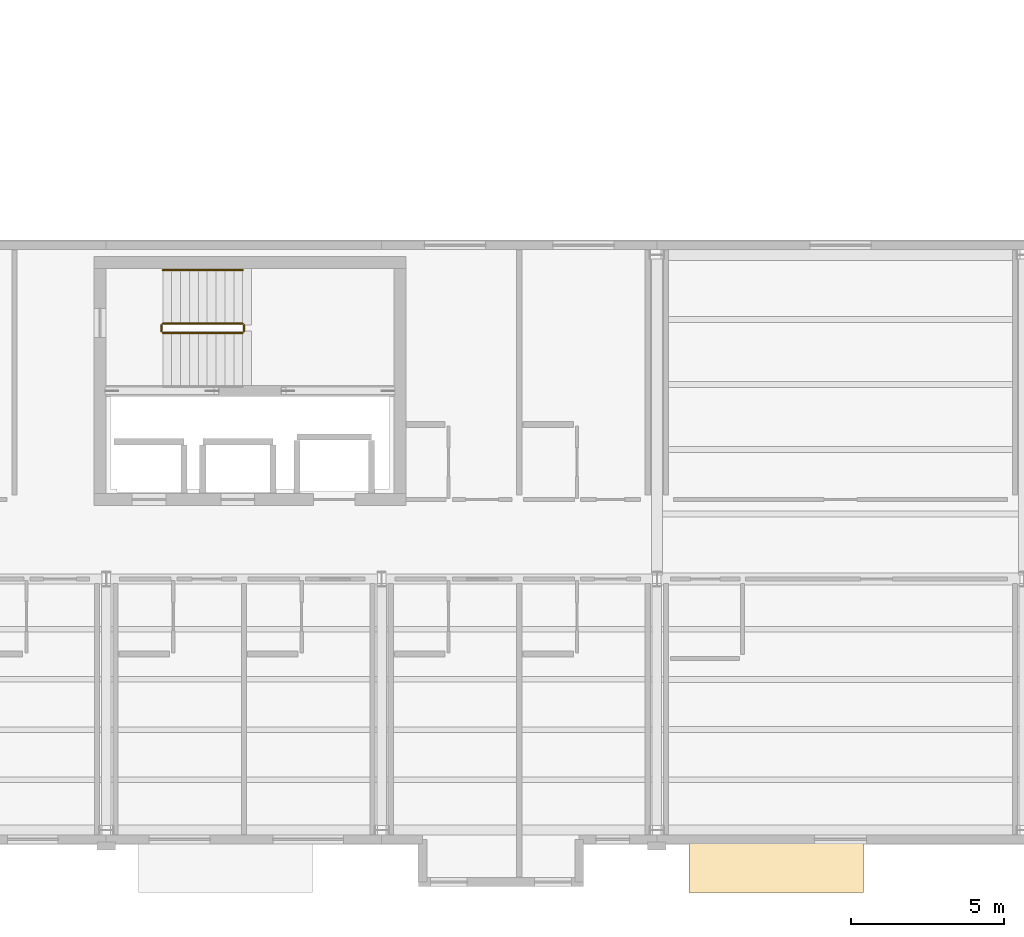
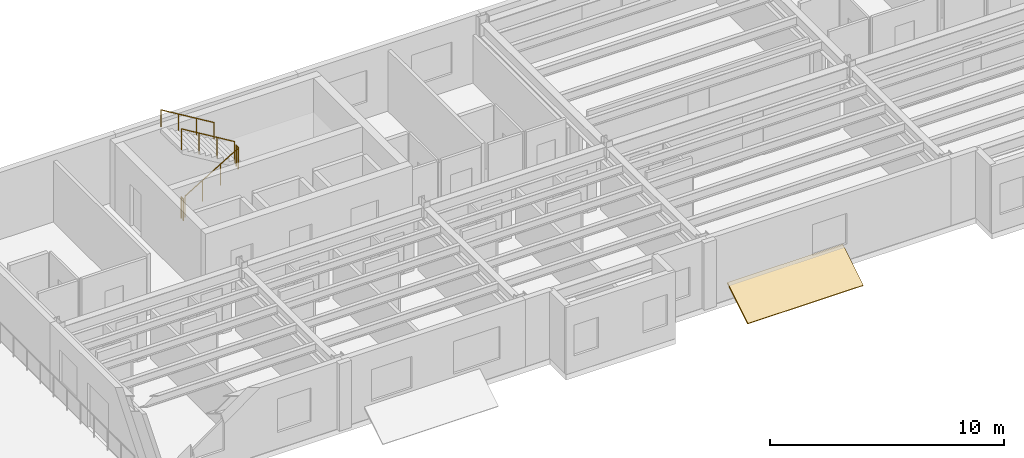
# One storey, part 15 of 17: 5 railings, 1 covering.
"""IFC4 building model written with IfcOpenShell, lengths in metres."""

from ifc_helpers import new_model, si_unit, direction, frame, origin, origin_2d, place, context, subcontext, project, spatial, polyline, circle, outline, extrude, material, layer, layer_set, type_object, element, save


model = new_model("IFC4")

# Units and contexts
model_context = context("Model", 3, precision=1e-05, world=origin(), true_north=direction((0.0, 1.0)))
body_context = subcontext(model_context, "Body", "Model", "MODEL_VIEW")
ifc_project = project(units=[si_unit("LENGTHUNIT", "METRE"), si_unit("AREAUNIT", "SQUARE_METRE"), si_unit("VOLUMEUNIT", "CUBIC_METRE"), si_unit("PLANEANGLEUNIT", "RADIAN"), si_unit("MASSUNIT", "GRAM", prefix="KILO")], contexts=[model_context])

# Site, building, storey
site_placement = place(None, origin())
site = spatial("IfcSite", under=ifc_project, at=site_placement, CompositionType="ELEMENT")
building_placement = place(site_placement, origin())
building = spatial("IfcBuilding", under=site, at=building_placement, Name="Sollismere Congress Hotel", CompositionType="ELEMENT")
storey_placement = place(building_placement, frame((0.0, 0.0, 41.10009765625)))
storey = spatial("IfcBuildingStorey", under=building, at=storey_placement, Name="L10", CompositionType="ELEMENT", Elevation=41.10009765625)

# Covering
ifc_material_1 = material(Name="Standing-Seam Titanium-Zinc Roof Assembly")
ifc_layer = layer(ifc_material_1, 0.054931640625, Name="Standing-Seam Titanium-Zinc Roof Assembly")
ifc_layer_set = layer_set([ifc_layer], Name="Standing-Seam Titanium-Zinc Roof Assembly")
covering_type = type_object("IfcCoveringType", Name="CV-RFZNC", PredefinedType="ROOFING", material=ifc_layer_set)
covering_placement = place(storey_placement, frame((113.050048828125, -2.008056640625, -0.36328125), z_axis=(0.0, -0.525209771298, 0.850972794003), x_axis=(1.0, 0.0, 0.0)))
element("IfcCovering", 1, at=covering_placement, inside=storey, type_object=covering_type, Name="Cikma bay sacak hood SL-CKH-29", PredefinedType="ROOFING", context=body_context, shape_type="SweptSolid", body=[
    extrude(outline(polyline([(0.0, 0.0), (5.699951171875, 0.0), (5.699951171875, 2.056396484375), (0.0, 2.056396484375), (0.0, 0.0)])), origin(), (0.0, 0.0, 1.0), 0.080078125),
])

# Railings
ifc_material_2 = material(Name="Steel ASTM A500 Grade C", Category="steel")
railing_type_1 = type_object("IfcRailingType", Name="RL-GRD112", PredefinedType="GUARDRAIL", material=ifc_material_2)
railing_1_placement = place(storey_placement, frame((95.85009765625, 16.25, 0.1748046875)))
element("IfcRailing", 2, at=railing_1_placement, inside=storey, type_object=railing_type_1, Name="RLG-RG-ST-02-L10-1", PredefinedType="GUARDRAIL", context=body_context, shape_type="SweptSolid", body=[
    extrude(circle(Radius=0.02392578125, at=origin_2d()), frame((0.0, 0.0, 1.09619140625), z_axis=(0.856147343639, 0.0, 0.516731773728), x_axis=(0.0, 1.0, 0.0)), (0.0, 0.0, 1.0), 3.04833984375),
    extrude(circle(Radius=0.02099609375, at=origin_2d()), origin(), (0.0, 0.0, 1.0), 1.072021484375),
    extrude(circle(Radius=0.02099609375, at=origin_2d()), frame((0.869873046875, 0.0, 0.525146484375)), (0.0, 0.0, 1.0), 1.072021484375),
    extrude(circle(Radius=0.02099609375, at=origin_2d()), frame((1.739990234375, 0.0, 1.050048828125)), (0.0, 0.0, 1.0), 1.072021484375),
    extrude(circle(Radius=0.02099609375, at=origin_2d()), frame((2.60986328125, 0.0, 1.5751953125)), (0.0, 0.0, 1.0), 1.072021484375),
])
railing_2_placement = place(storey_placement, frame((98.510009765625, 16.300048828125, 1.75)))
element("IfcRailing", 3, at=railing_2_placement, inside=storey, type_object=railing_type_1, Name="RLG-RG-ST-02-L10-2", PredefinedType="GUARDRAIL", context=body_context, shape_type="SweptSolid", body=[
    extrude(circle(Radius=0.02392578125, at=origin_2d()), frame((0.0, 0.0, 1.09619140625), z_axis=(0.0, 1.0, 0.0), x_axis=(-1.0, 0.0, 0.0)), (0.0, 0.0, 1.0), 0.199951171875),
    extrude(circle(Radius=0.02099609375, at=origin_2d()), origin(), (0.0, 0.0, 1.0), 1.072021484375),
    extrude(circle(Radius=0.02099609375, at=origin_2d()), frame((0.0, 0.199951171875, 0.0)), (0.0, 0.0, 1.0), 1.072021484375),
])
railing_3_placement = place(storey_placement, frame((98.4599609375, 16.550048828125, 1.9248046875)))
element("IfcRailing", 4, at=railing_3_placement, inside=storey, type_object=railing_type_1, Name="RLG-RG-ST-02-L10-3", PredefinedType="GUARDRAIL", context=body_context, shape_type="SweptSolid", body=[
    extrude(circle(Radius=0.02392578125, at=origin_2d()), frame((0.0, 0.0, 1.09619140625), z_axis=(-0.856147343639, 0.0, 0.516731773728), x_axis=(0.0, -1.0, 0.0)), (0.0, 0.0, 1.0), 3.04833984375),
    extrude(circle(Radius=0.02099609375, at=origin_2d()), origin(), (0.0, 0.0, 1.0), 1.072021484375),
    extrude(circle(Radius=0.02099609375, at=origin_2d()), frame((-0.869873046875, 0.0, 0.525146484375)), (0.0, 0.0, 1.0), 1.072021484375),
    extrude(circle(Radius=0.02099609375, at=origin_2d()), frame((-1.739990234375, 0.0, 1.050048828125)), (0.0, 0.0, 1.0), 1.072021484375),
    extrude(circle(Radius=0.02099609375, at=origin_2d()), frame((-2.60986328125, 0.0, 1.5751953125)), (0.0, 0.0, 1.0), 1.072021484375),
])
railing_4_placement = place(storey_placement, frame((95.800048828125, 16.300048828125, 0.0)))
element("IfcRailing", 5, at=railing_4_placement, inside=storey, type_object=railing_type_1, Name="RLG-RG-ST-02-L10-4", PredefinedType="GUARDRAIL", context=body_context, shape_type="SweptSolid", body=[
    extrude(circle(Radius=0.02392578125, at=origin_2d()), frame((0.0, 0.0, 1.09619140625), z_axis=(0.0, 1.0, 0.0), x_axis=(-1.0, 0.0, 0.0)), (0.0, 0.0, 1.0), 0.199951171875),
    extrude(circle(Radius=0.02099609375, at=origin_2d()), origin(), (0.0, 0.0, 1.0), 1.072021484375),
    extrude(circle(Radius=0.02099609375, at=origin_2d()), frame((0.0, 0.199951171875, 0.0)), (0.0, 0.0, 1.0), 1.072021484375),
])
ifc_material_3 = material(Name="Brushed Architectural Bronze")
railing_type_2 = type_object("IfcRailingType", Name="RL-HND90", PredefinedType="HANDRAIL", material=ifc_material_3)
railing_5_placement = place(storey_placement, frame((98.4599609375, 18.300048828125, 2.075927734375)))
element("IfcRailing", 6, at=railing_5_placement, inside=storey, type_object=railing_type_2, Name="RLG-RH-ST-02-L10-2", PredefinedType="HANDRAIL", context=body_context, shape_type="SweptSolid", body=[
    extrude(circle(Radius=0.02392578125, at=origin_2d()), frame((0.0, 0.0, 0.8759765625), z_axis=(-0.85618277418, 0.0, 0.516673066065), x_axis=(0.0, -1.0, 0.0)), (0.0, 0.0, 1.0), 3.04833984375),
    extrude(circle(Radius=0.02099609375, at=origin_2d()), origin(), (0.0, 0.0, 1.0), 0.851806640625),
    extrude(circle(Radius=0.02099609375, at=origin_2d()), frame((-0.869873046875, 0.0, 0.52490234375)), (0.0, 0.0, 1.0), 0.851806640625),
    extrude(circle(Radius=0.02099609375, at=origin_2d()), frame((-1.739990234375, 0.0, 1.050048828125)), (0.0, 0.0, 1.0), 0.851806640625),
    extrude(circle(Radius=0.02099609375, at=origin_2d()), frame((-2.60986328125, 0.0, 1.574951171875)), (0.0, 0.0, 1.0), 0.851806640625),
])

save(model, "model.ifc")
